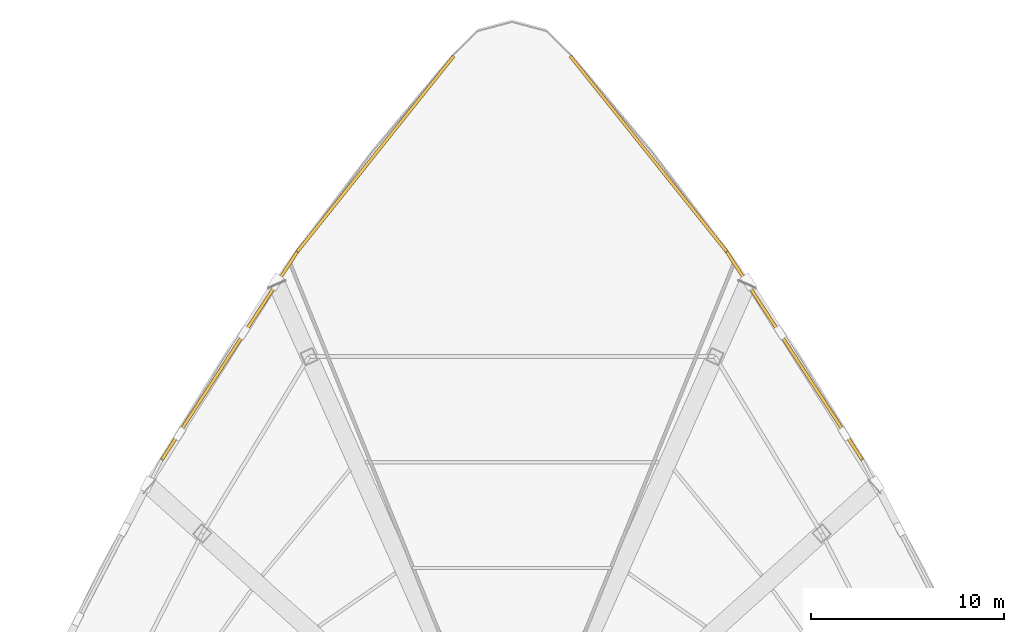
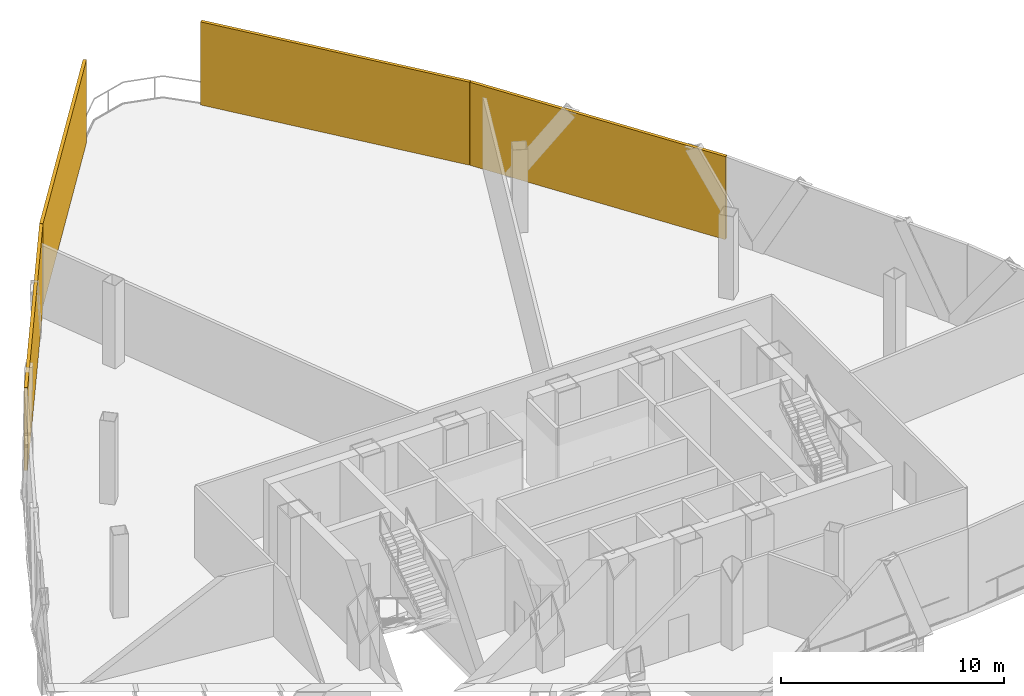
# One storey, part 12 of 12: 4 shading devices.
"""IFC4 building model written with IfcOpenShell, lengths in metres."""

from ifc_helpers import new_model, si_unit, direction, frame, origin, origin_2d, place, context, subcontext, project, spatial, rectangle, extrude, source, transform, mapped, material, layer, layer_set, type_object, element, save


model = new_model("IFC4")

# Units and contexts
model_context = context("Model", 3, precision=1e-05, world=origin(), true_north=direction((0.0, 1.0)))
body_context = subcontext(model_context, "Body", "Model", "MODEL_VIEW")
ifc_project = project(units=[si_unit("LENGTHUNIT", "METRE"), si_unit("AREAUNIT", "SQUARE_METRE"), si_unit("VOLUMEUNIT", "CUBIC_METRE"), si_unit("PLANEANGLEUNIT", "RADIAN"), si_unit("MASSUNIT", "GRAM", prefix="KILO"), si_unit("THERMODYNAMICTEMPERATUREUNIT", "KELVIN"), si_unit("POWERUNIT", "WATT")], contexts=[model_context])

# Site, building, storey
site_placement = place(None, origin())
site = spatial("IfcSite", under=ifc_project, at=site_placement, CompositionType="ELEMENT")
building_placement = place(site_placement, origin())
building = spatial("IfcBuilding", under=site, at=building_placement, Name="Yunzhuo Pagoda Commons", CompositionType="ELEMENT")
storey_placement = place(building_placement, frame((0.0, 0.0, 320.7099609375)))
storey = spatial("IfcBuildingStorey", under=building, at=storey_placement, Name="L80", CompositionType="ELEMENT", Elevation=320.7099609375)

# Shading devices
ifc_material = material(Name="Anodized aluminium 6063-T6", Category="aluminium")
ifc_layer = layer(ifc_material, 0.159912109375)
ifc_layer_set = layer_set([ifc_layer], Name="Anodized aluminium 6063-T6")
shading_device_type = type_object("IfcShadingDeviceType", Name="SH-SCR1 Stormproof Refuge Louvre Screen", PredefinedType="JALOUSIE", material=ifc_layer_set)
shared_shape_1 = source(origin(), body_context, "Body", "SweptSolid", [
    extrude(rectangle(XDim=12.942138671875, YDim=0.159912109375, at=origin_2d()), origin(), (0.0, 0.0, 1.0), 4.5400390625),
])
for number, where, z_axis, x_axis, name in (
    (1, (55.0537109375, 67.768798828125, 0.0), (0.0, 0.0, 1.0), (-0.624520471688, 0.781008438138, 0.0), "L80 stormproof refuge louvre screen F2.4"),
    (2, (40.9462890625, 67.768798828125, 0.0), (0.0, 0.0, 1.0), (-0.624520471688, -0.781008438138, 0.0), "L80 stormproof refuge louvre screen F3.1"),
):
    element("IfcShadingDevice", number, at=place(storey_placement, frame(where, z_axis=z_axis, x_axis=x_axis)), inside=storey, type_object=shading_device_type, Name=name, PredefinedType="JALOUSIE", context=body_context, shape_type="MappedRepresentation", body=[
        mapped(shared_shape_1, transform((0.0, 0.0, 0.0), scale=1.0)),
    ])
shared_shape_2 = source(origin(), body_context, "Body", "SweptSolid", [
    extrude(rectangle(XDim=12.8193359375, YDim=0.159912109375, at=origin_2d()), origin(), (0.0, 0.0, 1.0), 4.5400390625),
])
for number, where, z_axis, x_axis, name in (
    (3, (62.610107421875, 57.3212890625, 0.0), (0.0, 0.0, 1.0), (-0.545853380833, 0.837880711458, 0.0), "L80 stormproof refuge louvre screen F2.3"),
    (4, (33.389892578125, 57.3212890625, 0.0), (0.0, 0.0, 1.0), (-0.545853380833, -0.837880711458, 0.0), "L80 stormproof refuge louvre screen F3.2"),
):
    element("IfcShadingDevice", number, at=place(storey_placement, frame(where, z_axis=z_axis, x_axis=x_axis)), inside=storey, type_object=shading_device_type, Name=name, PredefinedType="JALOUSIE", context=body_context, shape_type="MappedRepresentation", body=[
        mapped(shared_shape_2, transform((0.0, 0.0, 0.0), scale=1.0)),
    ])

save(model, "model.ifc")
